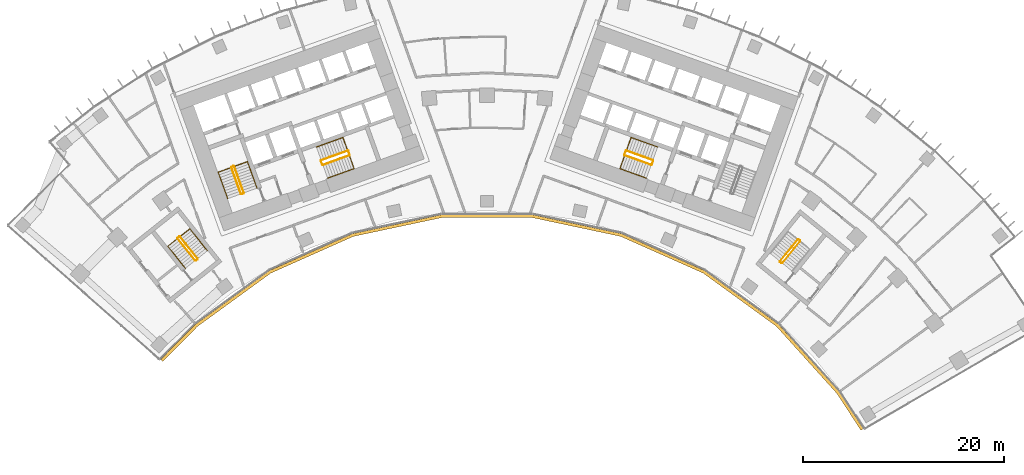
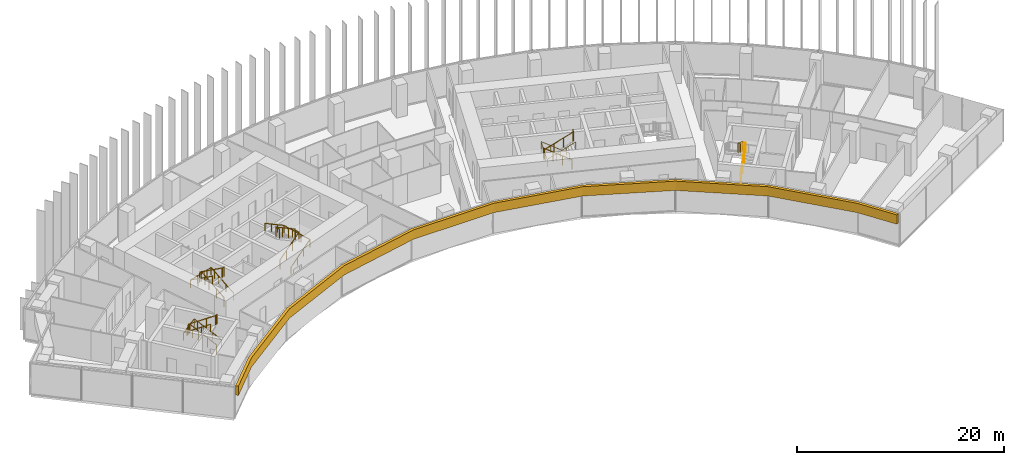
# One storey, part 21 of 22: 14 railings, 1 covering.
"""IFC4 building model written with IfcOpenShell, lengths in metres."""

from ifc_helpers import new_model, si_unit, direction, frame, origin, origin_2d, place, context, subcontext, project, spatial, polyline, circle, outline, extrude, material, layer, layer_set, type_object, element, save


model = new_model("IFC4")

# Units and contexts
model_context = context("Model", 3, precision=1e-05, world=origin(), true_north=direction((0.0, 1.0)))
body_context = subcontext(model_context, "Body", "Model", "MODEL_VIEW")
ifc_project = project(units=[si_unit("LENGTHUNIT", "METRE"), si_unit("AREAUNIT", "SQUARE_METRE"), si_unit("VOLUMEUNIT", "CUBIC_METRE"), si_unit("PLANEANGLEUNIT", "RADIAN"), si_unit("MASSUNIT", "GRAM", prefix="KILO")], contexts=[model_context])

# Site, building, storey
site_placement = place(None, origin())
site = spatial("IfcSite", under=ifc_project, at=site_placement, CompositionType="ELEMENT")
building_placement = place(site_placement, origin())
building = spatial("IfcBuilding", under=site, at=building_placement, Name="Stone Belt Terrace Tower", CompositionType="ELEMENT")
storey_placement = place(building_placement, frame((0.0, 0.0, 121.199951171875)))
storey = spatial("IfcBuildingStorey", under=building, at=storey_placement, Name="L29", CompositionType="ELEMENT", Elevation=121.199951171875)

# Railings
ifc_material_1 = material(Name="Structural steel C345", Category="steel")
railing_type_1 = type_object("IfcRailingType", Name="Stair guard 1100", PredefinedType="GUARDRAIL", material=ifc_material_1)
railing_1_placement = place(storey_placement, frame((-24.2119140625, 45.276123046875, 0.1728515625)))
element("IfcRailing", 1, at=railing_1_placement, inside=storey, type_object=railing_type_1, Name="L29 ST1A stair guard 1", PredefinedType="GUARDRAIL", context=body_context, shape_type="SweptSolid", body=[
    extrude(circle(Radius=0.02392578125, at=origin_2d()), frame((0.0, 0.0, 1.076171875), z_axis=(-0.288228637646, 0.800791768495, 0.525030280985), x_axis=(-0.940908529223, -0.338660803216, 0.0)), (0.0, 0.0, 1.0), 3.289794921875),
    extrude(circle(Radius=0.02392578125, at=origin_2d()), frame((-0.9482421875, 2.634521484375, 2.80322265625), z_axis=(-0.905209821074, 0.424964916, 0.0), x_axis=(-0.424964916, -0.905209821074, 0.0)), (0.0, 0.0, 1.0), 0.070556640625),
    extrude(circle(Radius=0.02392578125, at=origin_2d()), frame((-1.01220703125, 2.66455078125, 2.80322265625), z_axis=(-0.941105063269, -0.338114270461, 0.0), x_axis=(0.338114270461, -0.941105063269, 0.0)), (0.0, 0.0, 1.0), 0.199951171875),
    extrude(circle(Radius=0.02099609375, at=origin_2d()), origin(), (0.0, 0.0, 1.0), 1.052001953125),
    extrude(circle(Radius=0.02099609375, at=origin_2d()), frame((-0.316162109375, 0.878173828125, 0.57568359375)), (0.0, 0.0, 1.0), 1.052001953125),
    extrude(circle(Radius=0.02099609375, at=origin_2d()), frame((-0.632080078125, 1.75634765625, 1.151611328125)), (0.0, 0.0, 1.0), 1.052001953125),
    extrude(circle(Radius=0.02099609375, at=origin_2d()), frame((-0.9482421875, 2.634521484375, 1.727294921875)), (0.0, 0.0, 1.0), 1.052001953125),
    extrude(circle(Radius=0.02099609375, at=origin_2d()), frame((-1.01220703125, 2.66455078125, 1.727294921875)), (0.0, 0.0, 1.0), 1.052001953125),
    extrude(circle(Radius=0.02099609375, at=origin_2d()), frame((-1.200439453125, 2.596923828125, 1.727294921875)), (0.0, 0.0, 1.0), 1.052001953125),
])
railing_2_placement = place(storey_placement, frame((-25.4423828125, 47.80908203125, 2.07275390625)))
element("IfcRailing", 2, at=railing_2_placement, inside=storey, type_object=railing_type_1, Name="L29 ST1A stair guard 2", PredefinedType="GUARDRAIL", context=body_context, shape_type="SweptSolid", body=[
    extrude(circle(Radius=0.02392578125, at=origin_2d()), frame((0.0, 0.0, 1.076171875), z_axis=(0.288228637646, -0.800791768495, 0.525030280985), x_axis=(0.940908529223, 0.338660803216, 0.0)), (0.0, 0.0, 1.0), 3.289794921875),
    extrude(circle(Radius=0.02392578125, at=origin_2d()), frame((0.9482421875, -2.634521484375, 2.80322265625), z_axis=(0.903878284585, -0.427789722475, 0.0), x_axis=(0.427789722475, 0.903878284585, 0.0)), (0.0, 0.0, 1.0), 0.07080078125),
    extrude(circle(Radius=0.02392578125, at=origin_2d()), frame((1.01220703125, -2.664794921875, 2.80322265625), z_axis=(0.940575576748, 0.339584429008, 0.0), x_axis=(-0.339584429008, 0.940575576748, 0.0)), (0.0, 0.0, 1.0), 0.199951171875),
    extrude(circle(Radius=0.02099609375, at=origin_2d()), origin(), (0.0, 0.0, 1.0), 1.052001953125),
    extrude(circle(Radius=0.02099609375, at=origin_2d()), frame((0.316162109375, -0.878173828125, 0.57568359375)), (0.0, 0.0, 1.0), 1.052001953125),
    extrude(circle(Radius=0.02099609375, at=origin_2d()), frame((0.632080078125, -1.75634765625, 1.151611328125)), (0.0, 0.0, 1.0), 1.052001953125),
    extrude(circle(Radius=0.02099609375, at=origin_2d()), frame((0.9482421875, -2.634521484375, 1.727294921875)), (0.0, 0.0, 1.0), 1.052001953125),
    extrude(circle(Radius=0.02099609375, at=origin_2d()), frame((1.01220703125, -2.664794921875, 1.727294921875)), (0.0, 0.0, 1.0), 1.052001953125),
    extrude(circle(Radius=0.02099609375, at=origin_2d()), frame((1.2001953125, -2.596923828125, 1.727294921875)), (0.0, 0.0, 1.0), 1.052001953125),
])
railing_3_placement = place(storey_placement, frame((-16.33837890625, 48.056640625, 0.1728515625)))
element("IfcRailing", 3, at=railing_3_placement, inside=storey, type_object=railing_type_1, Name="L29 ST2A stair guard 1", PredefinedType="GUARDRAIL", context=body_context, shape_type="SweptSolid", body=[
    extrude(circle(Radius=0.02392578125, at=origin_2d()), frame((0.0, 0.0, 1.076171875), z_axis=(0.800808895155, 0.288160591223, 0.52504150989), x_axis=(-0.338583606334, 0.940936311087, 0.0)), (0.0, 0.0, 1.0), 3.289794921875),
    extrude(circle(Radius=0.02392578125, at=origin_2d()), frame((2.634521484375, 0.947998046875, 2.80322265625), z_axis=(0.427789722475, 0.903878284585, 0.0), x_axis=(-0.903878284585, 0.427789722475, 0.0)), (0.0, 0.0, 1.0), 0.07080078125),
    extrude(circle(Radius=0.02392578125, at=origin_2d()), frame((2.664794921875, 1.011962890625, 2.80322265625), z_axis=(-0.338654645739, 0.940910745459, 0.0), x_axis=(-0.940910745459, -0.338654645739, 0.0)), (0.0, 0.0, 1.0), 0.400146484375),
    extrude(circle(Radius=0.02099609375, at=origin_2d()), origin(), (0.0, 0.0, 1.0), 1.052001953125),
    extrude(circle(Radius=0.02099609375, at=origin_2d()), frame((0.878173828125, 0.31591796875, 0.57568359375)), (0.0, 0.0, 1.0), 1.052001953125),
    extrude(circle(Radius=0.02099609375, at=origin_2d()), frame((1.75634765625, 0.632080078125, 1.151611328125)), (0.0, 0.0, 1.0), 1.052001953125),
    extrude(circle(Radius=0.02099609375, at=origin_2d()), frame((2.634521484375, 0.947998046875, 1.727294921875)), (0.0, 0.0, 1.0), 1.052001953125),
    extrude(circle(Radius=0.02099609375, at=origin_2d()), frame((2.664794921875, 1.011962890625, 1.727294921875)), (0.0, 0.0, 1.0), 1.052001953125),
    extrude(circle(Radius=0.02099609375, at=origin_2d()), frame((2.529296875, 1.388427734375, 1.727294921875)), (0.0, 0.0, 1.0), 1.052001953125),
])
railing_4_placement = place(storey_placement, frame((-13.873046875, 49.47509765625, 2.07275390625)))
element("IfcRailing", 4, at=railing_4_placement, inside=storey, type_object=railing_type_1, Name="L29 ST2A stair guard 2", PredefinedType="GUARDRAIL", context=body_context, shape_type="SweptSolid", body=[
    extrude(circle(Radius=0.02392578125, at=origin_2d()), frame((0.0, 0.0, 1.076171875), z_axis=(-0.800808895155, -0.288160591223, 0.52504150989), x_axis=(0.338583606334, -0.940936311087, 0.0)), (0.0, 0.0, 1.0), 3.289794921875),
    extrude(circle(Radius=0.02392578125, at=origin_2d()), frame((-2.634521484375, -0.947998046875, 2.80322265625), z_axis=(-0.427789722475, -0.903878284585, 0.0), x_axis=(0.903878284585, -0.427789722475, 0.0)), (0.0, 0.0, 1.0), 0.07080078125),
    extrude(circle(Radius=0.02392578125, at=origin_2d()), frame((-2.664794921875, -1.011962890625, 2.80322265625), z_axis=(0.338654645739, -0.940910745459, 0.0), x_axis=(0.940910745459, 0.338654645739, 0.0)), (0.0, 0.0, 1.0), 0.400146484375),
    extrude(circle(Radius=0.02099609375, at=origin_2d()), origin(), (0.0, 0.0, 1.0), 1.052001953125),
    extrude(circle(Radius=0.02099609375, at=origin_2d()), frame((-0.878173828125, -0.31591796875, 0.57568359375)), (0.0, 0.0, 1.0), 1.052001953125),
    extrude(circle(Radius=0.02099609375, at=origin_2d()), frame((-1.75634765625, -0.632080078125, 1.151611328125)), (0.0, 0.0, 1.0), 1.052001953125),
    extrude(circle(Radius=0.02099609375, at=origin_2d()), frame((-2.634521484375, -0.947998046875, 1.727294921875)), (0.0, 0.0, 1.0), 1.052001953125),
    extrude(circle(Radius=0.02099609375, at=origin_2d()), frame((-2.664794921875, -1.011962890625, 1.727294921875)), (0.0, 0.0, 1.0), 1.052001953125),
    extrude(circle(Radius=0.02099609375, at=origin_2d()), frame((-2.529296875, -1.388427734375, 1.727294921875)), (0.0, 0.0, 1.0), 1.052001953125),
])
railing_5_placement = place(storey_placement, frame((16.507568359375, 48.527099609375, 0.1728515625)))
element("IfcRailing", 5, at=railing_5_placement, inside=storey, type_object=railing_type_1, Name="L29 ST2B stair guard 1", PredefinedType="GUARDRAIL", context=body_context, shape_type="SweptSolid", body=[
    extrude(circle(Radius=0.02392578125, at=origin_2d()), frame((0.0, 0.0, 1.076171875), z_axis=(-0.800808895155, 0.288160591223, 0.52504150989), x_axis=(-0.338583606334, -0.940936311087, 0.0)), (0.0, 0.0, 1.0), 3.289794921875),
    extrude(circle(Radius=0.02392578125, at=origin_2d()), frame((-2.634521484375, 0.947998046875, 2.80322265625), z_axis=(-0.905209821074, -0.424964916, 0.0), x_axis=(0.424964916, -0.905209821074, 0.0)), (0.0, 0.0, 1.0), 0.070556640625),
    extrude(circle(Radius=0.02392578125, at=origin_2d()), frame((-2.698486328125, 0.91796875, 2.80322265625), z_axis=(-0.338654645739, -0.940910745459, 0.0), x_axis=(0.940910745459, -0.338654645739, 0.0)), (0.0, 0.0, 1.0), 0.400146484375),
    extrude(circle(Radius=0.02099609375, at=origin_2d()), origin(), (0.0, 0.0, 1.0), 1.052001953125),
    extrude(circle(Radius=0.02099609375, at=origin_2d()), frame((-0.878173828125, 0.31591796875, 0.57568359375)), (0.0, 0.0, 1.0), 1.052001953125),
    extrude(circle(Radius=0.02099609375, at=origin_2d()), frame((-1.75634765625, 0.632080078125, 1.151611328125)), (0.0, 0.0, 1.0), 1.052001953125),
    extrude(circle(Radius=0.02099609375, at=origin_2d()), frame((-2.634521484375, 0.947998046875, 1.727294921875)), (0.0, 0.0, 1.0), 1.052001953125),
    extrude(circle(Radius=0.02099609375, at=origin_2d()), frame((-2.698486328125, 0.91796875, 1.727294921875)), (0.0, 0.0, 1.0), 1.052001953125),
    extrude(circle(Radius=0.02099609375, at=origin_2d()), frame((-2.833984375, 0.54150390625, 1.727294921875)), (0.0, 0.0, 1.0), 1.052001953125),
])
railing_6_placement = place(storey_placement, frame((13.703857421875, 49.004638671875, 2.07275390625)))
element("IfcRailing", 6, at=railing_6_placement, inside=storey, type_object=railing_type_1, Name="L29 ST2B stair guard 2", PredefinedType="GUARDRAIL", context=body_context, shape_type="SweptSolid", body=[
    extrude(circle(Radius=0.02392578125, at=origin_2d()), frame((0.0, 0.0, 1.076171875), z_axis=(0.800808895155, -0.288160591223, 0.52504150989), x_axis=(0.338583606334, 0.940936311087, 0.0)), (0.0, 0.0, 1.0), 3.289794921875),
    extrude(circle(Radius=0.02392578125, at=origin_2d()), frame((2.634521484375, -0.947998046875, 2.80322265625), z_axis=(0.905209821074, 0.424964916, 0.0), x_axis=(-0.424964916, 0.905209821074, 0.0)), (0.0, 0.0, 1.0), 0.070556640625),
    extrude(circle(Radius=0.02392578125, at=origin_2d()), frame((2.698486328125, -0.91796875, 2.80322265625), z_axis=(0.338654645739, 0.940910745459, 0.0), x_axis=(-0.940910745459, 0.338654645739, 0.0)), (0.0, 0.0, 1.0), 0.400146484375),
    extrude(circle(Radius=0.02099609375, at=origin_2d()), origin(), (0.0, 0.0, 1.0), 1.052001953125),
    extrude(circle(Radius=0.02099609375, at=origin_2d()), frame((0.878173828125, -0.31591796875, 0.57568359375)), (0.0, 0.0, 1.0), 1.052001953125),
    extrude(circle(Radius=0.02099609375, at=origin_2d()), frame((1.75634765625, -0.632080078125, 1.151611328125)), (0.0, 0.0, 1.0), 1.052001953125),
    extrude(circle(Radius=0.02099609375, at=origin_2d()), frame((2.634521484375, -0.947998046875, 1.727294921875)), (0.0, 0.0, 1.0), 1.052001953125),
    extrude(circle(Radius=0.02099609375, at=origin_2d()), frame((2.698486328125, -0.91796875, 1.727294921875)), (0.0, 0.0, 1.0), 1.052001953125),
    extrude(circle(Radius=0.02099609375, at=origin_2d()), frame((2.833984375, -0.54150390625, 1.727294921875)), (0.0, 0.0, 1.0), 1.052001953125),
])
railing_7_placement = place(storey_placement, frame((-28.814208984375, 38.734619140625, 0.1728515625)))
element("IfcRailing", 7, at=railing_7_placement, inside=storey, type_object=railing_type_1, Name="L29 ST3A stair guard 1", PredefinedType="GUARDRAIL", context=body_context, shape_type="SweptSolid", body=[
    extrude(circle(Radius=0.02392578125, at=origin_2d()), frame((0.0, 0.0, 1.076171875), z_axis=(-0.530306321799, 0.665665785969, 0.525037395288), x_axis=(-0.782143211408, -0.623098705543, 0.0)), (0.0, 0.0, 1.0), 3.289794921875),
    extrude(circle(Radius=0.02392578125, at=origin_2d()), frame((-1.74462890625, 2.18994140625, 2.80322265625), z_axis=(-0.993883734674, 0.110431526075, 0.0), x_axis=(-0.110431526075, -0.993883734674, 0.0)), (0.0, 0.0, 1.0), 0.07080078125),
    extrude(circle(Radius=0.02392578125, at=origin_2d()), frame((-1.81494140625, 2.19775390625, 2.80322265625), z_axis=(-0.782533463299, -0.622608527742, 0.0), x_axis=(0.622608527742, -0.782533463299, 0.0)), (0.0, 0.0, 1.0), 0.199951171875),
    extrude(circle(Radius=0.02099609375, at=origin_2d()), origin(), (0.0, 0.0, 1.0), 1.052001953125),
    extrude(circle(Radius=0.02099609375, at=origin_2d()), frame((-0.58154296875, 0.72998046875, 0.57568359375)), (0.0, 0.0, 1.0), 1.052001953125),
    extrude(circle(Radius=0.02099609375, at=origin_2d()), frame((-1.1630859375, 1.4599609375, 1.151611328125)), (0.0, 0.0, 1.0), 1.052001953125),
    extrude(circle(Radius=0.02099609375, at=origin_2d()), frame((-1.74462890625, 2.18994140625, 1.727294921875)), (0.0, 0.0, 1.0), 1.052001953125),
    extrude(circle(Radius=0.02099609375, at=origin_2d()), frame((-1.81494140625, 2.19775390625, 1.727294921875)), (0.0, 0.0, 1.0), 1.052001953125),
    extrude(circle(Radius=0.02099609375, at=origin_2d()), frame((-1.971435546875, 2.0732421875, 1.727294921875)), (0.0, 0.0, 1.0), 1.052001953125),
])
railing_8_placement = place(storey_placement, frame((-30.793701171875, 40.737548828125, 2.07275390625)))
element("IfcRailing", 8, at=railing_8_placement, inside=storey, type_object=railing_type_1, Name="L29 ST3A stair guard 2", PredefinedType="GUARDRAIL", context=body_context, shape_type="SweptSolid", body=[
    extrude(circle(Radius=0.02392578125, at=origin_2d()), frame((0.0, 0.0, 1.076171875), z_axis=(0.530359659125, -0.665639588968, 0.525016732659), x_axis=(0.782100716982, 0.62315204284, 0.0)), (0.0, 0.0, 1.0), 3.2900390625),
    extrude(circle(Radius=0.02392578125, at=origin_2d()), frame((1.744873046875, -2.18994140625, 2.80322265625), z_axis=(0.993499272973, -0.113838458361, 0.0), x_axis=(0.113838458361, 0.993499272973, 0.0)), (0.0, 0.0, 1.0), 0.07080078125),
    extrude(circle(Radius=0.02392578125, at=origin_2d()), frame((1.815185546875, -2.197998046875, 2.80322265625), z_axis=(0.781464082609, 0.623950228458, 0.0), x_axis=(-0.623950228458, 0.781464082609, 0.0)), (0.0, 0.0, 1.0), 0.199951171875),
    extrude(circle(Radius=0.02099609375, at=origin_2d()), origin(), (0.0, 0.0, 1.0), 1.052001953125),
    extrude(circle(Radius=0.02099609375, at=origin_2d()), frame((0.58154296875, -0.72998046875, 0.57568359375)), (0.0, 0.0, 1.0), 1.052001953125),
    extrude(circle(Radius=0.02099609375, at=origin_2d()), frame((1.163330078125, -1.4599609375, 1.151611328125)), (0.0, 0.0, 1.0), 1.052001953125),
    extrude(circle(Radius=0.02099609375, at=origin_2d()), frame((1.744873046875, -2.18994140625, 1.727294921875)), (0.0, 0.0, 1.0), 1.052001953125),
    extrude(circle(Radius=0.02099609375, at=origin_2d()), frame((1.815185546875, -2.197998046875, 1.727294921875)), (0.0, 0.0, 1.0), 1.052001953125),
    extrude(circle(Radius=0.02099609375, at=origin_2d()), frame((1.971435546875, -2.0732421875, 1.727294921875)), (0.0, 0.0, 1.0), 1.052001953125),
])
railing_9_placement = place(storey_placement, frame((29.39794921875, 38.281982421875, 0.1728515625)))
element("IfcRailing", 9, at=railing_9_placement, inside=storey, type_object=railing_type_1, Name="L29 ST3B stair guard 1", PredefinedType="GUARDRAIL", context=body_context, shape_type="SweptSolid", body=[
    extrude(circle(Radius=0.02392578125, at=origin_2d()), frame((0.0, 0.0, 1.076171875), z_axis=(0.536393061503, 0.660769759217, 0.525038864158), x_axis=(-0.776391310223, 0.630251166924, 0.0)), (0.0, 0.0, 1.0), 3.289794921875),
    extrude(circle(Radius=0.02392578125, at=origin_2d()), frame((1.7646484375, 2.173828125, 2.80322265625), z_axis=(-0.103251414163, 0.994655289773, 0.0), x_axis=(-0.994655289773, -0.103251414163, 0.0)), (0.0, 0.0, 1.0), 0.071044921875),
    extrude(circle(Radius=0.02392578125, at=origin_2d()), frame((1.75732421875, 2.244384765625, 2.80322265625), z_axis=(-0.776561986372, 0.630040856868, 0.0), x_axis=(-0.630040856868, -0.776561986372, 0.0)), (0.0, 0.0, 1.0), 0.199951171875),
    extrude(circle(Radius=0.02099609375, at=origin_2d()), origin(), (0.0, 0.0, 1.0), 1.052001953125),
    extrude(circle(Radius=0.02099609375, at=origin_2d()), frame((0.588134765625, 0.724609375, 0.57568359375)), (0.0, 0.0, 1.0), 1.052001953125),
    extrude(circle(Radius=0.02099609375, at=origin_2d()), frame((1.176513671875, 1.44921875, 1.151611328125)), (0.0, 0.0, 1.0), 1.052001953125),
    extrude(circle(Radius=0.02099609375, at=origin_2d()), frame((1.7646484375, 2.173828125, 1.727294921875)), (0.0, 0.0, 1.0), 1.052001953125),
    extrude(circle(Radius=0.02099609375, at=origin_2d()), frame((1.75732421875, 2.244384765625, 1.727294921875)), (0.0, 0.0, 1.0), 1.052001953125),
    extrude(circle(Radius=0.02099609375, at=origin_2d()), frame((1.60205078125, 2.370361328125, 1.727294921875)), (0.0, 0.0, 1.0), 1.052001953125),
])
railing_10_placement = place(storey_placement, frame((30.9296875, 40.64501953125, 2.07275390625)))
element("IfcRailing", 10, at=railing_10_placement, inside=storey, type_object=railing_type_1, Name="L29 ST3B stair guard 2", PredefinedType="GUARDRAIL", context=body_context, shape_type="SweptSolid", body=[
    extrude(circle(Radius=0.02392578125, at=origin_2d()), frame((0.0, 0.0, 1.076171875), z_axis=(-0.536366759382, -0.660811565066, 0.525013118792), x_axis=(0.776425942316, -0.630208502084, 0.0)), (0.0, 0.0, 1.0), 3.2900390625),
    extrude(circle(Radius=0.02392578125, at=origin_2d()), frame((-1.7646484375, -2.174072265625, 2.80322265625), z_axis=(0.103606084259, -0.994618408891, 0.0), x_axis=(0.994618408891, 0.103606084259, 0.0)), (0.0, 0.0, 1.0), 0.07080078125),
    extrude(circle(Radius=0.02392578125, at=origin_2d()), frame((-1.75732421875, -2.244384765625, 2.80322265625), z_axis=(0.776561986372, -0.630040856868, 0.0), x_axis=(0.630040856868, 0.776561986372, 0.0)), (0.0, 0.0, 1.0), 0.199951171875),
    extrude(circle(Radius=0.02099609375, at=origin_2d()), origin(), (0.0, 0.0, 1.0), 1.052001953125),
    extrude(circle(Radius=0.02099609375, at=origin_2d()), frame((-0.588134765625, -0.724609375, 0.57568359375)), (0.0, 0.0, 1.0), 1.052001953125),
    extrude(circle(Radius=0.02099609375, at=origin_2d()), frame((-1.176513671875, -1.449462890625, 1.151611328125)), (0.0, 0.0, 1.0), 1.052001953125),
    extrude(circle(Radius=0.02099609375, at=origin_2d()), frame((-1.7646484375, -2.174072265625, 1.727294921875)), (0.0, 0.0, 1.0), 1.052001953125),
    extrude(circle(Radius=0.02099609375, at=origin_2d()), frame((-1.75732421875, -2.244384765625, 1.727294921875)), (0.0, 0.0, 1.0), 1.052001953125),
    extrude(circle(Radius=0.02099609375, at=origin_2d()), frame((-1.60205078125, -2.370361328125, 1.727294921875)), (0.0, 0.0, 1.0), 1.052001953125),
])
railing_type_2 = type_object("IfcRailingType", Name="Stair handrail 900", PredefinedType="HANDRAIL", material=ifc_material_1)
railing_11_placement = place(storey_placement, frame((-22.894775390625, 45.750244140625, 0.1728515625)))
element("IfcRailing", 11, at=railing_11_placement, inside=storey, type_object=railing_type_2, Name="L29 ST1A stair handrail 1", PredefinedType="HANDRAIL", context=body_context, shape_type="SweptSolid", body=[
    extrude(circle(Radius=0.02392578125, at=origin_2d()), frame((0.0, 0.0, 0.8759765625), z_axis=(-0.288160591223, 0.800808895155, 0.52504150989), x_axis=(-0.940936311087, -0.338583606334, 0.0)), (0.0, 0.0, 1.0), 3.289794921875),
    extrude(circle(Radius=0.02392578125, at=origin_2d()), frame((-0.947998046875, 2.634521484375, 2.60302734375), z_axis=(-0.939464517435, -0.338106580597, 0.055591012205), x_axis=(0.338630230244, -0.940919532779, 0.0)), (0.0, 0.0, 1.0), 3.10498046875),
    extrude(circle(Radius=0.02392578125, at=origin_2d()), frame((-3.864990234375, 1.584716796875, 2.77587890625), z_axis=(0.288228637646, -0.800791768495, 0.525030280985), x_axis=(0.940908529223, 0.338660803216, 0.0)), (0.0, 0.0, 1.0), 3.289794921875),
    extrude(circle(Radius=0.02099609375, at=origin_2d()), origin(), (0.0, 0.0, 1.0), 0.851806640625),
    extrude(circle(Radius=0.02099609375, at=origin_2d()), frame((-0.31591796875, 0.878173828125, 0.57568359375)), (0.0, 0.0, 1.0), 0.851806640625),
    extrude(circle(Radius=0.02099609375, at=origin_2d()), frame((-0.632080078125, 1.75634765625, 1.151611328125)), (0.0, 0.0, 1.0), 0.851806640625),
    extrude(circle(Radius=0.02099609375, at=origin_2d()), frame((-0.947998046875, 2.634521484375, 1.727294921875)), (0.0, 0.0, 1.0), 0.851806640625),
    extrude(circle(Radius=0.02099609375, at=origin_2d()), frame((-1.92041015625, 2.28466796875, 1.784912109375)), (0.0, 0.0, 1.0), 0.851806640625),
    extrude(circle(Radius=0.02099609375, at=origin_2d()), frame((-2.892578125, 1.9345703125, 1.84228515625)), (0.0, 0.0, 1.0), 0.851806640625),
    extrude(circle(Radius=0.02099609375, at=origin_2d()), frame((-3.864990234375, 1.584716796875, 1.89990234375)), (0.0, 0.0, 1.0), 0.851806640625),
    extrude(circle(Radius=0.02099609375, at=origin_2d()), frame((-3.548828125, 0.70654296875, 2.4755859375)), (0.0, 0.0, 1.0), 0.851806640625),
    extrude(circle(Radius=0.02099609375, at=origin_2d()), frame((-3.23291015625, -0.171630859375, 3.051513671875)), (0.0, 0.0, 1.0), 0.851806640625),
    extrude(circle(Radius=0.02099609375, at=origin_2d()), frame((-2.916748046875, -1.0498046875, 3.627197265625)), (0.0, 0.0, 1.0), 0.851806640625),
])
railing_12_placement = place(storey_placement, frame((-15.8642578125, 46.7392578125, 0.1728515625)))
element("IfcRailing", 12, at=railing_12_placement, inside=storey, type_object=railing_type_2, Name="L29 ST2A stair handrail 1", PredefinedType="HANDRAIL", context=body_context, shape_type="SweptSolid", body=[
    extrude(circle(Radius=0.02392578125, at=origin_2d()), frame((0.0, 0.0, 0.8759765625), z_axis=(0.800791768495, 0.288228637646, 0.525030280985), x_axis=(-0.338660803216, 0.940908529223, 0.0)), (0.0, 0.0, 1.0), 3.289794921875),
    extrude(circle(Radius=0.02392578125, at=origin_2d()), frame((2.634521484375, 0.9482421875, 2.60302734375), z_axis=(-0.338160254016, 0.939637778147, 0.052234935458), x_axis=(-0.940922302781, -0.338622533404, 0.0)), (0.0, 0.0, 1.0), 3.304443359375),
    extrude(circle(Radius=0.02392578125, at=origin_2d()), frame((1.51708984375, 4.05322265625, 2.77587890625), z_axis=(-0.800791768495, -0.288228637646, 0.525030280985), x_axis=(0.338660803216, -0.940908529223, 0.0)), (0.0, 0.0, 1.0), 3.289794921875),
    extrude(circle(Radius=0.02099609375, at=origin_2d()), origin(), (0.0, 0.0, 1.0), 0.851806640625),
    extrude(circle(Radius=0.02099609375, at=origin_2d()), frame((0.878173828125, 0.316162109375, 0.57568359375)), (0.0, 0.0, 1.0), 0.851806640625),
    extrude(circle(Radius=0.02099609375, at=origin_2d()), frame((1.75634765625, 0.632080078125, 1.151611328125)), (0.0, 0.0, 1.0), 0.851806640625),
    extrude(circle(Radius=0.02099609375, at=origin_2d()), frame((2.634521484375, 0.9482421875, 1.727294921875)), (0.0, 0.0, 1.0), 0.851806640625),
    extrude(circle(Radius=0.02099609375, at=origin_2d()), frame((2.261962890625, 1.983154296875, 1.784912109375)), (0.0, 0.0, 1.0), 0.851806640625),
    extrude(circle(Radius=0.02099609375, at=origin_2d()), frame((1.8896484375, 3.018310546875, 1.84228515625)), (0.0, 0.0, 1.0), 0.851806640625),
    extrude(circle(Radius=0.02099609375, at=origin_2d()), frame((1.51708984375, 4.05322265625, 1.89990234375)), (0.0, 0.0, 1.0), 0.851806640625),
    extrude(circle(Radius=0.02099609375, at=origin_2d()), frame((0.638916015625, 3.737060546875, 2.4755859375)), (0.0, 0.0, 1.0), 0.851806640625),
    extrude(circle(Radius=0.02099609375, at=origin_2d()), frame((-0.2392578125, 3.421142578125, 3.051513671875)), (0.0, 0.0, 1.0), 0.851806640625),
    extrude(circle(Radius=0.02099609375, at=origin_2d()), frame((-1.117431640625, 3.10498046875, 3.627197265625)), (0.0, 0.0, 1.0), 0.851806640625),
])
railing_13_placement = place(storey_placement, frame((16.981689453125, 49.84423828125, 0.1728515625)))
element("IfcRailing", 13, at=railing_13_placement, inside=storey, type_object=railing_type_2, Name="L29 ST2B stair handrail 1", PredefinedType="HANDRAIL", context=body_context, shape_type="SweptSolid", body=[
    extrude(circle(Radius=0.02392578125, at=origin_2d()), frame((0.0, 0.0, 0.8759765625), z_axis=(-0.800791768495, 0.288228637646, 0.525030280985), x_axis=(-0.338660803216, -0.940908529223, 0.0)), (0.0, 0.0, 1.0), 3.289794921875),
    extrude(circle(Radius=0.02392578125, at=origin_2d()), frame((-2.634521484375, 0.9482421875, 2.60302734375), z_axis=(-0.338160254016, -0.939637778147, 0.052234935458), x_axis=(0.940922302781, -0.338622533404, 0.0)), (0.0, 0.0, 1.0), 3.304443359375),
    extrude(circle(Radius=0.02392578125, at=origin_2d()), frame((-3.751953125, -2.15673828125, 2.77587890625), z_axis=(0.800791768495, -0.288228637646, 0.525030280985), x_axis=(0.338660803216, 0.940908529223, 0.0)), (0.0, 0.0, 1.0), 3.289794921875),
    extrude(circle(Radius=0.02099609375, at=origin_2d()), origin(), (0.0, 0.0, 1.0), 0.851806640625),
    extrude(circle(Radius=0.02099609375, at=origin_2d()), frame((-0.878173828125, 0.316162109375, 0.57568359375)), (0.0, 0.0, 1.0), 0.851806640625),
    extrude(circle(Radius=0.02099609375, at=origin_2d()), frame((-1.75634765625, 0.632080078125, 1.151611328125)), (0.0, 0.0, 1.0), 0.851806640625),
    extrude(circle(Radius=0.02099609375, at=origin_2d()), frame((-2.634521484375, 0.9482421875, 1.727294921875)), (0.0, 0.0, 1.0), 0.851806640625),
    extrude(circle(Radius=0.02099609375, at=origin_2d()), frame((-3.007080078125, -0.086669921875, 1.784912109375)), (0.0, 0.0, 1.0), 0.851806640625),
    extrude(circle(Radius=0.02099609375, at=origin_2d()), frame((-3.37939453125, -1.121826171875, 1.84228515625)), (0.0, 0.0, 1.0), 0.851806640625),
    extrude(circle(Radius=0.02099609375, at=origin_2d()), frame((-3.751953125, -2.15673828125, 1.89990234375)), (0.0, 0.0, 1.0), 0.851806640625),
    extrude(circle(Radius=0.02099609375, at=origin_2d()), frame((-2.873779296875, -2.472900390625, 2.4755859375)), (0.0, 0.0, 1.0), 0.851806640625),
    extrude(circle(Radius=0.02099609375, at=origin_2d()), frame((-1.99560546875, -2.788818359375, 3.051513671875)), (0.0, 0.0, 1.0), 0.851806640625),
    extrude(circle(Radius=0.02099609375, at=origin_2d()), frame((-1.117431640625, -3.10498046875, 3.627197265625)), (0.0, 0.0, 1.0), 0.851806640625),
])
railing_14_placement = place(storey_placement, frame((-27.836669921875, 39.513427734375, 0.1728515625)))
element("IfcRailing", 14, at=railing_14_placement, inside=storey, type_object=railing_type_2, Name="L29 ST3A stair handrail 1", PredefinedType="HANDRAIL", context=body_context, shape_type="SweptSolid", body=[
    extrude(circle(Radius=0.02392578125, at=origin_2d()), frame((0.0, 0.0, 0.8759765625), z_axis=(-0.530306321799, 0.665665785969, 0.525037395288), x_axis=(-0.782143211408, -0.623098705543, 0.0)), (0.0, 0.0, 1.0), 3.289794921875),
    extrude(circle(Radius=0.02392578125, at=origin_2d()), frame((-1.74462890625, 2.18994140625, 2.60302734375), z_axis=(-0.780661215256, -0.62191806513, 0.061530376721), x_axis=(0.623098705543, -0.782143211408, 0.0)), (0.0, 0.0, 1.0), 2.80517578125),
    extrude(circle(Radius=0.02392578125, at=origin_2d()), frame((-3.9345703125, 0.4453125, 2.77587890625), z_axis=(0.530306321799, -0.665665785969, 0.525037395288), x_axis=(0.782143211408, 0.623098705543, 0.0)), (0.0, 0.0, 1.0), 3.289794921875),
    extrude(circle(Radius=0.02099609375, at=origin_2d()), origin(), (0.0, 0.0, 1.0), 0.851806640625),
    extrude(circle(Radius=0.02099609375, at=origin_2d()), frame((-0.58154296875, 0.72998046875, 0.57568359375)), (0.0, 0.0, 1.0), 0.851806640625),
    extrude(circle(Radius=0.02099609375, at=origin_2d()), frame((-1.1630859375, 1.4599609375, 1.151611328125)), (0.0, 0.0, 1.0), 0.851806640625),
    extrude(circle(Radius=0.02099609375, at=origin_2d()), frame((-1.74462890625, 2.18994140625, 1.727294921875)), (0.0, 0.0, 1.0), 0.851806640625),
    extrude(circle(Radius=0.02099609375, at=origin_2d()), frame((-2.474609375, 1.6083984375, 1.784912109375)), (0.0, 0.0, 1.0), 0.851806640625),
    extrude(circle(Radius=0.02099609375, at=origin_2d()), frame((-3.20458984375, 1.02685546875, 1.84228515625)), (0.0, 0.0, 1.0), 0.851806640625),
    extrude(circle(Radius=0.02099609375, at=origin_2d()), frame((-3.9345703125, 0.4453125, 1.89990234375)), (0.0, 0.0, 1.0), 0.851806640625),
    extrude(circle(Radius=0.02099609375, at=origin_2d()), frame((-3.35302734375, -0.28466796875, 2.4755859375)), (0.0, 0.0, 1.0), 0.851806640625),
    extrude(circle(Radius=0.02099609375, at=origin_2d()), frame((-2.771484375, -1.0146484375, 3.051513671875)), (0.0, 0.0, 1.0), 0.851806640625),
    extrude(circle(Radius=0.02099609375, at=origin_2d()), frame((-2.18994140625, -1.74462890625, 3.627197265625)), (0.0, 0.0, 1.0), 0.851806640625),
])

# Covering
ifc_material_2 = material(Name="Terracotta coloured glazed ceramic", Category="masonry")
ifc_layer = layer(ifc_material_2, 0.300048828125)
ifc_layer_set = layer_set([ifc_layer], Name="Terracotta spandrel band 300 x 1100")
covering_type = type_object("IfcCoveringType", Name="Terracotta spandrel band 300 x 1100", PredefinedType="CLADDING", material=ifc_layer_set)
covering_placement = place(storey_placement, frame((0.0, 0.0, 2.699951171875)))
element("IfcCovering", 15, at=covering_placement, inside=storey, type_object=covering_type, Name="BAND L29", PredefinedType="CLADDING", context=body_context, shape_type="SweptSolid", body=[
    extrude(outline(polyline([(-32.49560546875, 28.692626953125), (-29.00927734375, 32.212646484375), (-21.674560546875, 37.54150390625), (-13.395751953125, 41.2275390625), (-4.53125, 43.11181640625), (4.53125, 43.11181640625), (13.395751953125, 41.2275390625), (21.674560546875, 37.54150390625), (29.00634765625, 32.214599609375), (35.072998046875, 25.47705078125), (37.46875, 21.802001953125), (37.217529296875, 21.63818359375), (34.83447265625, 25.29345703125), (28.804443359375, 31.990478515625), (21.523681640625, 37.2802734375), (13.302490234375, 40.940673828125), (4.499755859375, 42.811767578125), (-4.499755859375, 42.811767578125), (-13.302490234375, 40.940673828125), (-21.523681640625, 37.2802734375), (-28.813232421875, 31.984130859375), (-32.282470703125, 28.481689453125), (-32.49560546875, 28.692626953125)])), origin(), (0.0, 0.0, 1.0), 1.10009765625),
])

save(model, "model.ifc")
